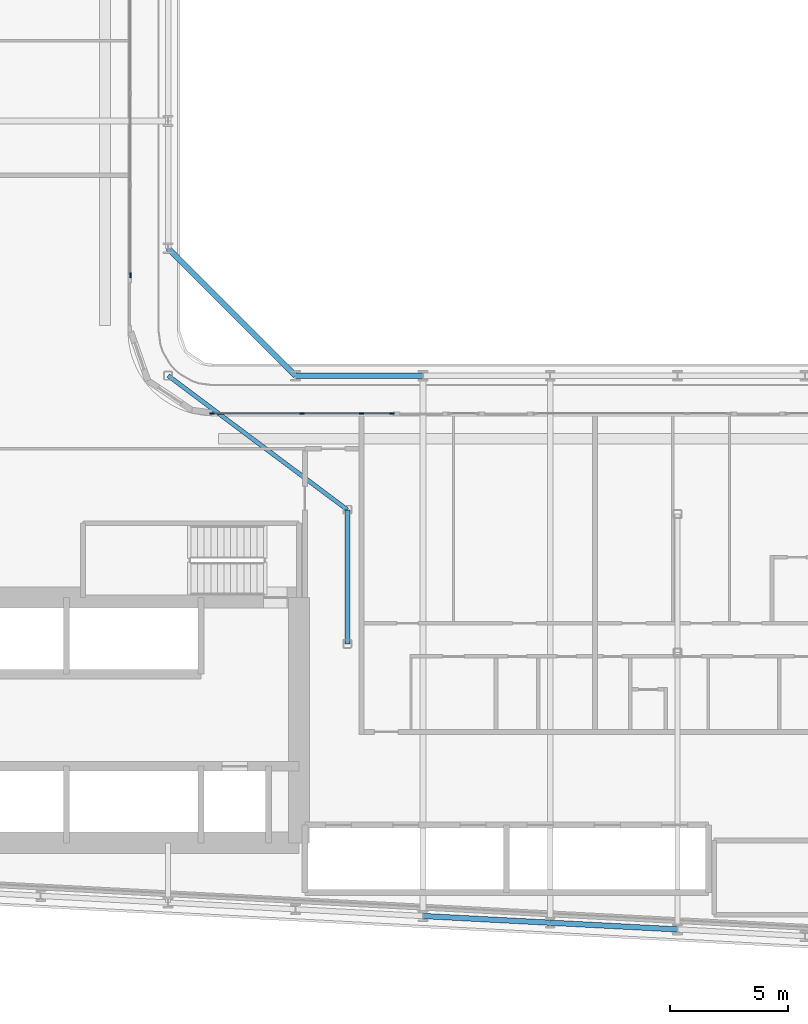
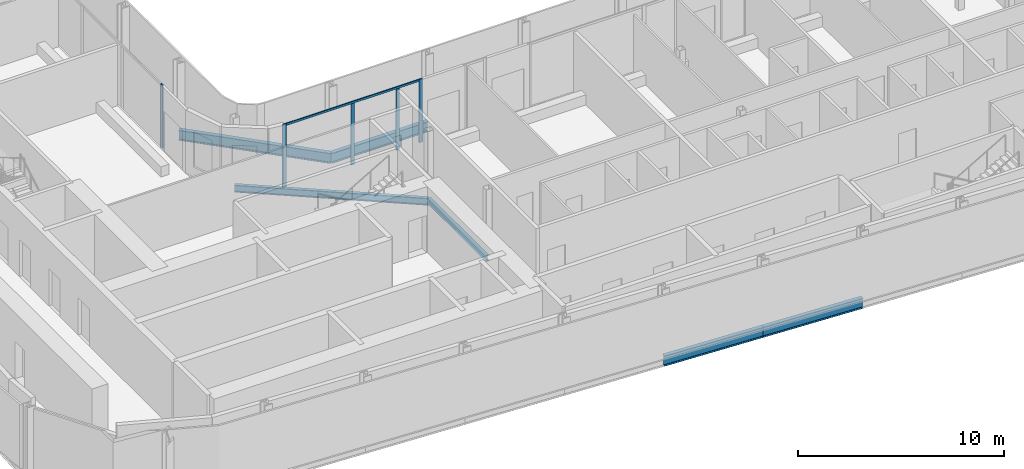
# One storey, part 4 of 28: 6 beams, 6 members, 2 elements without a shape of their own.
"""IFC4 building model written with IfcOpenShell, lengths in metres."""

from ifc_helpers import new_model, si_unit, direction, frame, origin, origin_2d, place, context, subcontext, project, spatial, rectangle, i_section, extrude, material, layer, layer_set, material_profile, profile_set, type_object, element, aggregate, save


model = new_model("IFC4")

# Units and contexts
model_context = context("Model", 3, precision=1e-05, world=origin(), true_north=direction((0.0, 1.0)))
body_context = subcontext(model_context, "Body", "Model", "MODEL_VIEW")
ifc_project = project(units=[si_unit("LENGTHUNIT", "METRE"), si_unit("AREAUNIT", "SQUARE_METRE"), si_unit("VOLUMEUNIT", "CUBIC_METRE"), si_unit("PLANEANGLEUNIT", "RADIAN"), si_unit("MASSUNIT", "GRAM", prefix="KILO")], contexts=[model_context])

# Site, building, storey
site_placement = place(None, origin())
site = spatial("IfcSite", under=ifc_project, at=site_placement, CompositionType="ELEMENT")
building_placement = place(site_placement, origin())
building = spatial("IfcBuilding", under=site, at=building_placement, Name="Kheshtan School and Residences Tower", CompositionType="ELEMENT")
storey_placement = place(building_placement, frame((0.0, 0.0, 125.300048828125)))
storey = spatial("IfcBuildingStorey", under=building, at=storey_placement, Name="L29", CompositionType="ELEMENT", Elevation=125.300048828125)

# Beams
ifc_material_1 = material(Name="Steel ASTM A992 Grade 50", Category="steel")
ifc_material_profile_1 = material_profile(ifc_material_1, i_section(OverallWidth=0.202880859375, OverallDepth=0.302978515625, WebThickness=0.007568359375, FlangeThickness=0.01318359375, FilletRadius=0.009033203125, at=origin_2d()), Name="W310x60")
ifc_profile_set_1 = profile_set([ifc_material_profile_1], Name="Steel ASTM A992 Grade 50")
beam_type_1 = type_object("IfcBeamType", Name="Beam FB1 W310x60 ASTM A992 Grade 50", PredefinedType="BEAM", material=ifc_profile_set_1)
beam_1_placement = place(storey_placement, frame((55.199951171875, 34.23193359375, -0.301513671875), z_axis=(0.0, 1.0, 0.0), x_axis=(-1.0, 0.0, 0.0)))
element("IfcBeam", 1, at=beam_1_placement, inside=storey, type_object=beam_type_1, Name="Floor beam IC", PredefinedType="BEAM", context=body_context, shape_type="SweptSolid", body=[
    extrude(i_section(OverallWidth=0.202880859375, OverallDepth=0.302978515625, WebThickness=0.007568359375, FlangeThickness=0.01318359375, FilletRadius=0.009033203125, at=origin_2d()), origin(), (0.0, 0.0, 1.0), 5.68408203125),
])
ifc_material_profile_2 = material_profile(ifc_material_1, i_section(OverallWidth=0.180908203125, OverallDepth=0.4169921875, WebThickness=0.010986328125, FlangeThickness=0.018310546875, FilletRadius=0.012451171875, at=origin_2d()), Name="W410x85")
ifc_profile_set_2 = profile_set([ifc_material_profile_2], Name="Steel ASTM A992 Grade 50")
beam_type_2 = type_object("IfcBeamType", Name="Beam FB3 W410x85 ASTM A992 Grade 50", PredefinedType="BEAM", material=ifc_profile_set_2)
beam_2_placement = place(storey_placement, frame((47.60009765625, 45.60009765625, -0.358642578125), z_axis=(0.800798828004, -0.598933416222, 0.0), x_axis=(0.598933416222, 0.800798828004, 0.0)))
element("IfcBeam", 2, at=beam_2_placement, inside=storey, type_object=beam_type_2, Name="Floor beam IC", PredefinedType="BEAM", context=body_context, shape_type="SweptSolid", body=[
    extrude(i_section(OverallWidth=0.180908203125, OverallDepth=0.4169921875, WebThickness=0.010986328125, FlangeThickness=0.018310546875, FilletRadius=0.012451171875, at=origin_2d()), origin(), (0.0, 0.0, 1.0), 9.490234375),
])
ifc_material_profile_3 = material_profile(ifc_material_1, i_section(OverallWidth=0.22802734375, OverallDepth=0.60302734375, WebThickness=0.010498046875, FlangeThickness=0.014892578125, FilletRadius=0.013427734375, at=origin_2d()), Name="W610x101")
ifc_profile_set_3 = profile_set([ifc_material_profile_3], Name="Steel ASTM A992 Grade 50")
beam_type_3 = type_object("IfcBeamType", Name="Beam SP2 W610x101 ASTM A992 Grade 50", PredefinedType="BEAM", material=ifc_profile_set_3)
beam_3_placement = place(storey_placement, frame((47.60009765625, 51.0, -0.45166015625), z_axis=(0.707106781187, -0.707106781187, 0.0), x_axis=(0.707106781187, 0.707106781187, 0.0)))
element("IfcBeam", 3, at=beam_3_placement, inside=storey, type_object=beam_type_3, Name="Spandrel beam C079-C061", PredefinedType="BEAM", context=body_context, shape_type="SweptSolid", body=[
    extrude(i_section(OverallWidth=0.22802734375, OverallDepth=0.60302734375, WebThickness=0.010498046875, FlangeThickness=0.014892578125, FilletRadius=0.013427734375, at=origin_2d()), origin(), (0.0, 0.0, 1.0), 7.63671875),
])
beam_4_placement = place(storey_placement, frame((53.0, 45.60009765625, -0.45166015625), z_axis=(1.0, 0.0, 0.0), x_axis=(0.0, 1.0, 0.0)))
element("IfcBeam", 4, at=beam_4_placement, inside=storey, type_object=beam_type_3, Name="Spandrel beam C061-C062", PredefinedType="BEAM", context=body_context, shape_type="SweptSolid", body=[
    extrude(i_section(OverallWidth=0.22802734375, OverallDepth=0.60302734375, WebThickness=0.010498046875, FlangeThickness=0.014892578125, FilletRadius=0.013427734375, at=origin_2d()), origin(), (0.0, 0.0, 1.0), 5.39990234375),
])
beam_5_placement = place(storey_placement, frame((69.199951171875, 22.126953125, -0.45166015625), z_axis=(-0.998620447272, 0.05250906864, 0.0), x_axis=(-0.05250906864, -0.998620447272, 0.0)))
element("IfcBeam", 5, at=beam_5_placement, inside=storey, type_object=beam_type_3, Name="Spandrel beam C014-C016", PredefinedType="BEAM", context=body_context, shape_type="SweptSolid", body=[
    extrude(i_section(OverallWidth=0.22802734375, OverallDepth=0.60302734375, WebThickness=0.010498046875, FlangeThickness=0.014892578125, FilletRadius=0.013427734375, at=origin_2d()), origin(), (0.0, 0.0, 1.0), 5.407470703125),
])
beam_6_placement = place(storey_placement, frame((63.800048828125, 22.410888671875, -0.45166015625), z_axis=(-0.998618203458, 0.052551724256, 0.0), x_axis=(-0.052551724256, -0.998618203458, 0.0)))
element("IfcBeam", 6, at=beam_6_placement, inside=storey, type_object=beam_type_3, Name="Spandrel beam C016-C018", PredefinedType="BEAM", context=body_context, shape_type="SweptSolid", body=[
    extrude(i_section(OverallWidth=0.22802734375, OverallDepth=0.60302734375, WebThickness=0.010498046875, FlangeThickness=0.014892578125, FilletRadius=0.013427734375, at=origin_2d()), origin(), (0.0, 0.0, 1.0), 5.40771484375),
])

# Curtain wall, member
ifc_material_2 = material(Name="Clear low-e glass in thermally broken aluminium frame", Category="aluminium")
ifc_layer = layer(ifc_material_2, 0.199951171875)
ifc_layer_set = layer_set([ifc_layer], Name="Curtain wall CW-L")
curtain_wall_type = type_object("IfcCurtainWallType", Name="Curtain wall CW-L", PredefinedType="NOTDEFINED", material=ifc_layer_set)
curtain_wall_1_placement = place(storey_placement, origin())
curtain_wall_1 = element("IfcCurtainWall", 7, at=curtain_wall_1_placement, inside=storey, type_object=curtain_wall_type, Name="Curtain wall CWL8", PredefinedType="NOTDEFINED")
ifc_material_3 = material(Name="Thermally broken aluminium, dark bronze anodised", Category="aluminium")
ifc_material_profile_4 = material_profile(ifc_material_3, rectangle(XDim=0.06005859375, YDim=0.199951171875, at=origin_2d()), Name="CW-L mullion 60x200")
ifc_profile_set_4 = profile_set([ifc_material_profile_4], Name="Thermally broken aluminium, dark bronze anodised")
member_type_1 = type_object("IfcMemberType", Name="CW-L mullion 60x200", PredefinedType="MULLION", material=ifc_profile_set_4)
member_1_placement = place(storey_placement, frame((46.0, 49.860107421875, 0.0), z_axis=(0.0, 0.0, 1.0), x_axis=(1.0, 0.0, 0.0)))
member_1 = element("IfcMember", 8, at=member_1_placement, type_object=member_type_1, Name="CWL8 mullion 3", PredefinedType="MULLION", context=body_context, shape_type="SweptSolid", body=[
    extrude(rectangle(XDim=0.06005859375, YDim=0.199951171875, at=origin_2d()), origin(), (0.0, 0.0, 1.0), 3.75),
])
aggregate(curtain_wall_1, [member_1])

# Curtain wall, members
curtain_wall_2_placement = place(storey_placement, origin())
curtain_wall_2 = element("IfcCurtainWall", 9, at=curtain_wall_2_placement, inside=storey, type_object=curtain_wall_type, Name="Curtain wall CWL12k", PredefinedType="NOTDEFINED")
member_2_placement = place(storey_placement, frame((49.4599609375, 44.0, 0.0), z_axis=(0.0, 0.0, 1.0), x_axis=(0.0, 1.0, 0.0)))
member_2 = element("IfcMember", 10, at=member_2_placement, type_object=member_type_1, Name="CWL12k mullion 1", PredefinedType="MULLION", context=body_context, shape_type="SweptSolid", body=[
    extrude(rectangle(XDim=0.06005859375, YDim=0.199951171875, at=origin_2d()), origin(), (0.0, 0.0, 1.0), 3.75),
])
member_3_placement = place(storey_placement, frame((53.277099609375, 44.0, 0.0), z_axis=(0.0, 0.0, 1.0), x_axis=(0.0, 1.0, 0.0)))
member_3 = element("IfcMember", 11, at=member_3_placement, type_object=member_type_1, Name="CWL12k mullion 2", PredefinedType="MULLION", context=body_context, shape_type="SweptSolid", body=[
    extrude(rectangle(XDim=0.06005859375, YDim=0.199951171875, at=origin_2d()), origin(), (0.0, 0.0, 1.0), 3.6298828125),
])
member_4_placement = place(storey_placement, frame((55.800048828125, 44.0, 0.0), z_axis=(0.0, 0.0, 1.0), x_axis=(0.0, 1.0, 0.0)))
member_4 = element("IfcMember", 12, at=member_4_placement, type_object=member_type_1, Name="CWL12k mullion 3", PredefinedType="MULLION", context=body_context, shape_type="SweptSolid", body=[
    extrude(rectangle(XDim=0.06005859375, YDim=0.199951171875, at=origin_2d()), origin(), (0.0, 0.0, 1.0), 3.6298828125),
])
member_5_placement = place(storey_placement, frame((57.093994140625, 44.0, 0.0), z_axis=(0.0, 0.0, 1.0), x_axis=(0.0, 1.0, 0.0)))
member_5 = element("IfcMember", 13, at=member_5_placement, type_object=member_type_1, Name="CWL12k mullion 4", PredefinedType="MULLION", context=body_context, shape_type="SweptSolid", body=[
    extrude(rectangle(XDim=0.06005859375, YDim=0.199951171875, at=origin_2d()), origin(), (0.0, 0.0, 1.0), 3.75),
])
ifc_material_profile_5 = material_profile(ifc_material_3, rectangle(XDim=0.06005859375, YDim=0.1201171875, at=origin_2d()), Name="CW-L transom 60x120")
ifc_profile_set_5 = profile_set([ifc_material_profile_5], Name="Thermally broken aluminium, dark bronze anodised")
member_type_2 = type_object("IfcMemberType", Name="CW-L transom 60x120", PredefinedType="USERDEFINED", material=ifc_profile_set_5)
member_6_placement = place(storey_placement, frame((49.489990234375, 44.0, 3.68994140625), z_axis=(1.0, 0.0, 0.0), x_axis=(0.0, 1.0, 0.0)))
member_6 = element("IfcMember", 14, at=member_6_placement, type_object=member_type_2, Name="CWL12k transom 1", ObjectType="TRANSOM", PredefinedType="USERDEFINED", context=body_context, shape_type="SweptSolid", body=[
    extrude(rectangle(XDim=0.06005859375, YDim=0.1201171875, at=origin_2d()), origin(), (0.0, 0.0, 1.0), 7.573974609375),
])
aggregate(curtain_wall_2, [member_2, member_3, member_4, member_5, member_6])

save(model, "model.ifc")
